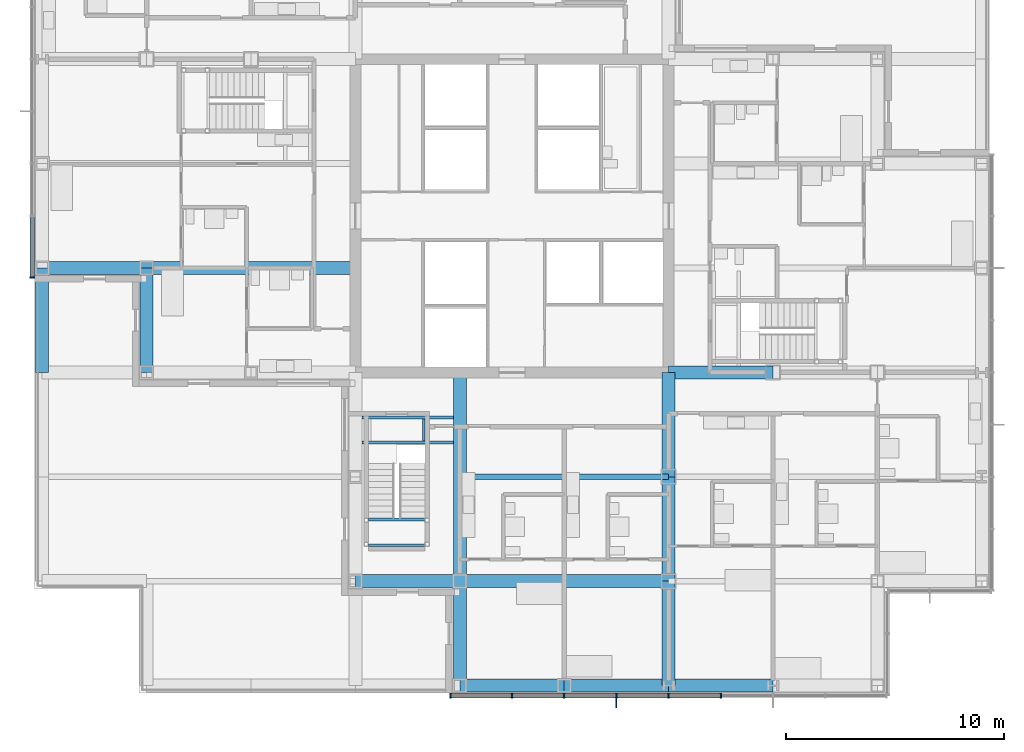
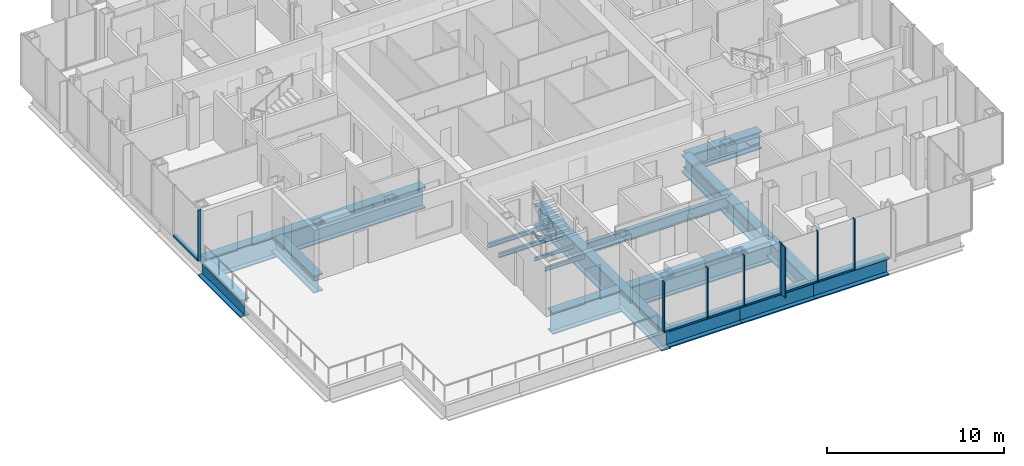
# One storey, part 6 of 19: 19 beams, 14 members, 2 elements without a shape of their own.
"""IFC4 building model written with IfcOpenShell, lengths in metres."""

import ifcopenshell
import ifcopenshell.guid

model = None  # the IFC model being written
_history = None  # IfcOwnerHistory: only IFC2X3 demands one
_inside = {}  # id of a spatial element -> (the spatial element, [elements in it])
_under = {}  # id of a project, library or spatial element -> (it, [spatial elements below it])
_declared = {}  # id of a project -> (the project, [libraries it declares])
_typed = {}  # id of a type object -> (the type object, [elements of that type])
_made_of = {}  # id of a material, layer set ... -> (it, [elements and type objects made of it])


def new_model(schema):
    """Start an empty IFC model of exactly this schema.

    Asked for "IFC4X3", IfcOpenShell would pick the latest addendum, in which some entities
    have other attributes; the version numbers below select the first issue.
    IFC2X3 requires an IfcOwnerHistory on every rooted entity: one is made here for all.
    """
    global model, _history
    if schema == "IFC4X3":
        model = ifcopenshell.file(schema_version=(4, 3, 0, 0))
    else:
        model = ifcopenshell.file(schema=schema)
    _inside.clear()
    _under.clear()
    _declared.clear()
    _typed.clear()
    _made_of.clear()
    _history = None
    if model.schema == "IFC2X3":
        org = make("IfcOrganization", Name="unknown")
        user = make(
            "IfcPersonAndOrganization",
            ThePerson=make("IfcPerson", FamilyName="unknown"),
            TheOrganization=org,
        )
        app = make(
            "IfcApplication",
            ApplicationDeveloper=org,
            Version="unknown",
            ApplicationFullName="unknown",
            ApplicationIdentifier="unknown",
        )
        _history = make(
            "IfcOwnerHistory",
            OwningUser=user,
            OwningApplication=app,
            ChangeAction="ADDED",
            CreationDate=0,
        )
    return model


def make(cls, **values):
    """One entity of the class cls with the attributes given. An attribute that is None is left unset."""
    return model.create_entity(
        cls, **{name: value for name, value in values.items() if value is not None}
    )


def rooted(cls, **values):
    """An entity with a GlobalId (a new one), such as an element, a storey or a relation."""
    return make(cls, GlobalId=ifcopenshell.guid.new(), OwnerHistory=_history, **values)


def si_unit(unit_type, name, prefix=None):
    """IfcSIUnit, for example si_unit("LENGTHUNIT", "METRE", prefix="MILLI")."""
    return make("IfcSIUnit", UnitType=unit_type, Prefix=prefix, Name=name)


def assignment(units):
    """IfcUnitAssignment: the units of a project."""
    return None if units is None else make("IfcUnitAssignment", Units=units)


def point(xyz):
    """IfcCartesianPoint."""
    return None if xyz is None else make("IfcCartesianPoint", Coordinates=xyz)


def direction(xyz):
    """IfcDirection."""
    return None if xyz is None else make("IfcDirection", DirectionRatios=xyz)


def frame(location, z_axis=None, x_axis=None):
    """IfcAxis2Placement3D, a coordinate frame: its origin and axes. An axis left out is left unset."""
    return make(
        "IfcAxis2Placement3D",
        Location=point(location),
        Axis=direction(z_axis),
        RefDirection=direction(x_axis),
    )


def frame_2d(location, x_axis=None):
    """IfcAxis2Placement2D, a coordinate frame in the plane: its origin and x axis."""
    return make(
        "IfcAxis2Placement2D", Location=point(location), RefDirection=direction(x_axis)
    )


def origin():
    """The frame at (0, 0, 0) with its axes left unset."""
    return frame((0.0, 0.0, 0.0))


def origin_2d():
    """The frame at (0, 0) in the plane with its x axis left unset."""
    return frame_2d((0.0, 0.0))


def place(relative_to, where):
    """IfcLocalPlacement: puts the frame where relative to a parent placement (None: the world)."""
    return make(
        "IfcLocalPlacement", PlacementRelTo=relative_to, RelativePlacement=where
    )


def context(
    kind, dimensions, precision=None, world=None, true_north=None, identifier=None
):
    """IfcGeometricRepresentationContext, for example the 3D "Model" context."""
    return make(
        "IfcGeometricRepresentationContext",
        ContextIdentifier=identifier,
        ContextType=kind,
        CoordinateSpaceDimension=dimensions,
        Precision=precision,
        WorldCoordinateSystem=world,
        TrueNorth=true_north,
    )


def subcontext(parent, identifier, kind, view, scale=None):
    """IfcGeometricRepresentationSubContext, for example "Body" below "Model"."""
    return make(
        "IfcGeometricRepresentationSubContext",
        ContextIdentifier=identifier,
        ContextType=kind,
        ParentContext=parent,
        TargetScale=scale,
        TargetView=view,
    )


def project(units=None, contexts=None):
    """IfcProject with its units and contexts."""
    return rooted(
        "IfcProject",
        Name="project",
        RepresentationContexts=contexts,
        UnitsInContext=assignment(units),
    )


def spatial(cls, under=None, at=None, **own):
    """A site, building, storey or space (cls), placed at a placement, below another one or the project."""
    s = rooted(cls, ObjectPlacement=at, **own)
    if under is not None:
        _under.setdefault(under.id(), (under, []))[1].append(s)
    return s


def profile(cls, at=None, kind="AREA", **sizes):
    """A parametric profile (cls). Its sizes go by their IFC names, for example OverallWidth=200.0."""
    return make(cls, ProfileType=kind, Position=at, **sizes)


def rectangle(**sizes):
    """IfcRectangleProfileDef."""
    return profile("IfcRectangleProfileDef", **sizes)


def i_section(**sizes):
    """IfcIShapeProfileDef."""
    return profile("IfcIShapeProfileDef", **sizes)


def extrude(swept, where, along, depth):
    """IfcExtrudedAreaSolid: the profile swept, set in the frame where, extruded along a direction by depth."""
    return make(
        "IfcExtrudedAreaSolid",
        SweptArea=swept,
        Position=where,
        ExtrudedDirection=direction(along),
        Depth=depth,
    )


def shape(context_of_items, identifier, shape_type, items):
    """IfcShapeRepresentation: the items that make up one representation, for example the "Body"."""
    return make(
        "IfcShapeRepresentation",
        ContextOfItems=context_of_items,
        RepresentationIdentifier=identifier,
        RepresentationType=shape_type,
        Items=items,
    )


def material(Name=None, Category=None):
    """IfcMaterial."""
    return make("IfcMaterial", Name=Name, Category=Category)


def material_profile(
    of_material, cross_section, Name=None, Category=None, Priority=None
):
    """IfcMaterialProfile: a cross section and its material."""
    return make(
        "IfcMaterialProfile",
        Name=Name,
        Material=of_material,
        Profile=cross_section,
        Priority=Priority,
        Category=Category,
    )


def profile_set(profiles, Name=None, composite=None):
    """IfcMaterialProfileSet."""
    return make(
        "IfcMaterialProfileSet",
        Name=Name,
        MaterialProfiles=profiles,
        CompositeProfile=composite,
    )


def made_of(thing, what):
    """Note that an element or type object is made of a material, layer set ...; save() writes the relation."""
    if what is not None:
        _made_of.setdefault(what.id(), (what, []))[1].append(thing)
    return thing


def type_object(cls, material=None, **own):
    """A type object (cls), such as IfcWallType, which elements share."""
    return made_of(rooted(cls, **own), material)


def element(
    cls,
    number,
    at=None,
    inside=None,
    cuts=None,
    type_object=None,
    material=None,
    context=None,
    identifier="Body",
    shape_type=None,
    held_by="IfcProductDefinitionShape",
    body=None,
    shapes=None,
    **own,
):
    """One element of the class cls, such as IfcWall. Its Tag is "e" and its number.

    at: its placement. inside: the storey or other place that contains it. cuts: it is an
    opening in that element (IfcRelVoidsElement). A single representation is given by context,
    identifier, shape_type and body (its items); several are given by shapes. held_by: the class
    of the entity that holds the representations. save() writes the other relations.
    """
    e = rooted(cls, Tag="e%d" % number, ObjectPlacement=at, **own)
    if body is not None:
        shapes = [shape(context, identifier, shape_type, body)]
    if shapes is not None:
        e.Representation = make(held_by, Representations=shapes)
    if inside is not None:
        _inside.setdefault(inside.id(), (inside, []))[1].append(e)
    if cuts is not None:
        rooted(
            "IfcRelVoidsElement", RelatingBuildingElement=cuts, RelatedOpeningElement=e
        )
    if type_object is not None:
        _typed.setdefault(type_object.id(), (type_object, []))[1].append(e)
    return made_of(e, material)


def aggregate(whole, parts):
    """IfcRelAggregates: a whole, such as a stair, and the parts it consists of."""
    return rooted("IfcRelAggregates", RelatingObject=whole, RelatedObjects=parts)


def save(model, path):
    """Write the relations noted so far, then the file.

    IfcRelAggregates (storeys below a building ...), IfcRelContainedInSpatialStructure (elements
    in a storey), IfcRelDefinesByType, IfcRelAssociatesMaterial and IfcRelDeclares: one each for
    every whole, place, type object, material and project.
    """
    for whole, parts in _under.values():
        aggregate(whole, parts)
    for where, things in _inside.values():
        rooted(
            "IfcRelContainedInSpatialStructure",
            RelatedElements=things,
            RelatingStructure=where,
        )
    for kind, things in _typed.values():
        rooted("IfcRelDefinesByType", RelatedObjects=things, RelatingType=kind)
    for what, things in _made_of.values():
        rooted("IfcRelAssociatesMaterial", RelatedObjects=things, RelatingMaterial=what)
    for by, libraries in _declared.values():
        rooted("IfcRelDeclares", RelatingContext=by, RelatedDefinitions=libraries)
    model.write(path)


model = new_model("IFC4")

# Units and contexts
model_context = context("Model", 3, precision=1e-05, world=origin(), true_north=direction((0.0, 1.0)))
body_context = subcontext(model_context, "Body", "Model", "MODEL_VIEW")
ifc_project = project(units=[si_unit("LENGTHUNIT", "METRE"), si_unit("AREAUNIT", "SQUARE_METRE"), si_unit("VOLUMEUNIT", "CUBIC_METRE"), si_unit("PLANEANGLEUNIT", "RADIAN"), si_unit("MASSUNIT", "GRAM", prefix="KILO")], contexts=[model_context])

# Site, building, storey
site_placement = place(None, origin())
site = spatial("IfcSite", under=ifc_project, at=site_placement, CompositionType="ELEMENT")
building_placement = place(site_placement, origin())
building = spatial("IfcBuilding", under=site, at=building_placement, Name="Kvirike Care Tower", CompositionType="ELEMENT")
storey_placement = place(building_placement, frame((0.0, 0.0, 84.0)))
storey = spatial("IfcBuildingStorey", under=building, at=storey_placement, Name="L22", CompositionType="ELEMENT", Elevation=84.0)

# Curtain wall, member
ifc_material_1 = material(Name="Anodised aluminium stick system", Category="aluminium")
curtain_wall_type = type_object("IfcCurtainWallType", Name="CW-B STICK CURTAIN WALL", PredefinedType="NOTDEFINED", material=ifc_material_1)
curtain_wall_1_placement = place(storey_placement, origin())
curtain_wall_1 = element("IfcCurtainWall", 1, at=curtain_wall_1_placement, inside=storey, type_object=curtain_wall_type, Name="Curtain wall L22 face 18", PredefinedType="NOTDEFINED")
ifc_material_2 = material(Name="Bronze anodised aluminium fin", Category="aluminium")
ifc_material_profile_1 = material_profile(ifc_material_2, rectangle(XDim=0.050048828125, YDim=0.449951171875, at=origin_2d()), Name="BRONZE FIN 450")
ifc_profile_set_1 = profile_set([ifc_material_profile_1], Name="Bronze anodised aluminium fin")
member_type_1 = type_object("IfcMemberType", Name="BRONZE FIN 450", PredefinedType="USERDEFINED", material=ifc_profile_set_1)
member_1_placement = place(storey_placement, frame((26.39990234375, 13.60498046875, 0.0), z_axis=(0.0, 0.0, 1.0), x_axis=(1.0, 0.0, 0.0)))
member_1 = element("IfcMember", 2, at=member_1_placement, type_object=member_type_1, Name="Bronze fin L22 face 18.4", ObjectType="FIN", PredefinedType="USERDEFINED", context=body_context, shape_type="SweptSolid", body=[
    extrude(rectangle(XDim=0.050048828125, YDim=0.449951171875, at=origin_2d()), origin(), (0.0, 0.0, 1.0), 3.5),
])

curtain_wall_2_placement = place(storey_placement, origin())
curtain_wall_2 = element("IfcCurtainWall", 3, at=curtain_wall_2_placement, inside=storey, type_object=curtain_wall_type, Name="Curtain wall L22 face 11", PredefinedType="NOTDEFINED")
ifc_material_3 = material(Name="Bronze anodised aluminium mullion", Category="aluminium")
ifc_material_profile_2 = material_profile(ifc_material_3, rectangle(XDim=0.06494140625, YDim=0.219970703125, at=origin_2d()), Name="CW-B MULLION 65x220")
ifc_profile_set_2 = profile_set([ifc_material_profile_2], Name="Bronze anodised aluminium mullion")
member_type_2 = type_object("IfcMemberType", Name="CW-B MULLION 65x220", PredefinedType="MULLION", material=ifc_profile_set_2)
member_2_placement = place(storey_placement, frame((-0.4599609375, 33.172607421875, 0.0), z_axis=(0.0, 0.0, 1.0), x_axis=(0.0, -1.0, 0.0)))
member_2 = element("IfcMember", 4, at=member_2_placement, type_object=member_type_2, Name="CW-B mullion L22 face 11.9", PredefinedType="MULLION", context=body_context, shape_type="SweptSolid", body=[
    extrude(rectangle(XDim=0.06494140625, YDim=0.219970703125, at=origin_2d()), origin(), (0.0, 0.0, 1.0), 3.5),
])

# Member
member_3_placement = place(storey_placement, frame((18.7724609375, 13.93994140625, 0.0), z_axis=(0.0, 0.0, 1.0), x_axis=(1.0, 0.0, 0.0)))
member_3 = element("IfcMember", 5, at=member_3_placement, type_object=member_type_2, Name="CW-B mullion L22 face 18.1", PredefinedType="MULLION", context=body_context, shape_type="SweptSolid", body=[
    extrude(rectangle(XDim=0.06494140625, YDim=0.219970703125, at=origin_2d()), origin(), (0.0, 0.0, 1.0), 3.5),
])

member_4_placement = place(storey_placement, frame((21.60009765625, 13.93994140625, 0.0), z_axis=(0.0, 0.0, 1.0), x_axis=(1.0, 0.0, 0.0)))
member_4 = element("IfcMember", 6, at=member_4_placement, type_object=member_type_2, Name="CW-B mullion L22 face 18.2", PredefinedType="MULLION", context=body_context, shape_type="SweptSolid", body=[
    extrude(rectangle(XDim=0.06494140625, YDim=0.219970703125, at=origin_2d()), origin(), (0.0, 0.0, 1.0), 3.5),
])

member_5_placement = place(storey_placement, frame((24.0, 13.93994140625, 0.0), z_axis=(0.0, 0.0, 1.0), x_axis=(1.0, 0.0, 0.0)))
member_5 = element("IfcMember", 7, at=member_5_placement, type_object=member_type_2, Name="CW-B mullion L22 face 18.3", PredefinedType="MULLION", context=body_context, shape_type="SweptSolid", body=[
    extrude(rectangle(XDim=0.06494140625, YDim=0.219970703125, at=origin_2d()), origin(), (0.0, 0.0, 1.0), 3.5),
])

member_6_placement = place(storey_placement, frame((26.39990234375, 13.93994140625, 0.0), z_axis=(0.0, 0.0, 1.0), x_axis=(1.0, 0.0, 0.0)))
member_6 = element("IfcMember", 8, at=member_6_placement, type_object=member_type_2, Name="CW-B mullion L22 face 18.4", PredefinedType="MULLION", context=body_context, shape_type="SweptSolid", body=[
    extrude(rectangle(XDim=0.06494140625, YDim=0.219970703125, at=origin_2d()), origin(), (0.0, 0.0, 1.0), 3.5),
])

member_7_placement = place(storey_placement, frame((28.800048828125, 13.93994140625, 0.0), z_axis=(0.0, 0.0, 1.0), x_axis=(1.0, 0.0, 0.0)))
member_7 = element("IfcMember", 9, at=member_7_placement, type_object=member_type_2, Name="CW-B mullion L22 face 18.5", PredefinedType="MULLION", context=body_context, shape_type="SweptSolid", body=[
    extrude(rectangle(XDim=0.06494140625, YDim=0.219970703125, at=origin_2d()), origin(), (0.0, 0.0, 1.0), 3.5),
])

member_8_placement = place(storey_placement, frame((31.199951171875, 13.93994140625, 0.0), z_axis=(0.0, 0.0, 1.0), x_axis=(1.0, 0.0, 0.0)))
member_8 = element("IfcMember", 10, at=member_8_placement, type_object=member_type_2, Name="CW-B mullion L22 face 18.6", PredefinedType="MULLION", context=body_context, shape_type="SweptSolid", body=[
    extrude(rectangle(XDim=0.06494140625, YDim=0.219970703125, at=origin_2d()), origin(), (0.0, 0.0, 1.0), 3.5),
])

ifc_material_4 = material(Name="Bronze anodised aluminium transom", Category="aluminium")
ifc_material_profile_3 = material_profile(ifc_material_4, rectangle(XDim=0.219970703125, YDim=0.10009765625, at=origin_2d()), Name="CW-B TRANSOM 220x100")
ifc_profile_set_3 = profile_set([ifc_material_profile_3], Name="Bronze anodised aluminium transom")
member_type_3 = type_object("IfcMemberType", Name="CW-B TRANSOM 220x100", PredefinedType="USERDEFINED", material=ifc_profile_set_3)
member_9_placement = place(storey_placement, frame((-0.4599609375, 35.967529296875, 0.050048828125), z_axis=(0.0, -1.0, 0.0), x_axis=(1.0, 0.0, 0.0)))
member_9 = element("IfcMember", 11, at=member_9_placement, type_object=member_type_3, Name="CW-B sill transom L22 face 11.8", ObjectType="TRANSOM", PredefinedType="USERDEFINED", context=body_context, shape_type="SweptSolid", body=[
    extrude(rectangle(XDim=0.219970703125, YDim=0.10009765625, at=origin_2d()), origin(), (0.0, 0.0, 1.0), 2.762451171875),
])

aggregate(curtain_wall_2, [member_2, member_9])

member_10_placement = place(storey_placement, frame((18.804931640625, 13.93994140625, 0.050048828125), z_axis=(1.0, 0.0, 0.0), x_axis=(0.0, 1.0, 0.0)))
member_10 = element("IfcMember", 12, at=member_10_placement, type_object=member_type_3, Name="CW-B sill transom L22 face 18.1", ObjectType="TRANSOM", PredefinedType="USERDEFINED", context=body_context, shape_type="SweptSolid", body=[
    extrude(rectangle(XDim=0.219970703125, YDim=0.10009765625, at=origin_2d()), origin(), (0.0, 0.0, 1.0), 2.762451171875),
])

member_11_placement = place(storey_placement, frame((21.632568359375, 13.93994140625, 0.050048828125), z_axis=(1.0, 0.0, 0.0), x_axis=(0.0, 1.0, 0.0)))
member_11 = element("IfcMember", 13, at=member_11_placement, type_object=member_type_3, Name="CW-B sill transom L22 face 18.2", ObjectType="TRANSOM", PredefinedType="USERDEFINED", context=body_context, shape_type="SweptSolid", body=[
    extrude(rectangle(XDim=0.219970703125, YDim=0.10009765625, at=origin_2d()), origin(), (0.0, 0.0, 1.0), 2.3349609375),
])

member_12_placement = place(storey_placement, frame((24.032470703125, 13.93994140625, 0.050048828125), z_axis=(1.0, 0.0, 0.0), x_axis=(0.0, 1.0, 0.0)))
member_12 = element("IfcMember", 14, at=member_12_placement, type_object=member_type_3, Name="CW-B sill transom L22 face 18.3", ObjectType="TRANSOM", PredefinedType="USERDEFINED", context=body_context, shape_type="SweptSolid", body=[
    extrude(rectangle(XDim=0.219970703125, YDim=0.10009765625, at=origin_2d()), origin(), (0.0, 0.0, 1.0), 2.3349609375),
])

member_13_placement = place(storey_placement, frame((26.4326171875, 13.93994140625, 0.050048828125), z_axis=(1.0, 0.0, 0.0), x_axis=(0.0, 1.0, 0.0)))
member_13 = element("IfcMember", 15, at=member_13_placement, type_object=member_type_3, Name="CW-B sill transom L22 face 18.4", ObjectType="TRANSOM", PredefinedType="USERDEFINED", context=body_context, shape_type="SweptSolid", body=[
    extrude(rectangle(XDim=0.219970703125, YDim=0.10009765625, at=origin_2d()), origin(), (0.0, 0.0, 1.0), 2.3349609375),
])

member_14_placement = place(storey_placement, frame((28.83251953125, 13.93994140625, 0.050048828125), z_axis=(1.0, 0.0, 0.0), x_axis=(0.0, 1.0, 0.0)))
member_14 = element("IfcMember", 16, at=member_14_placement, type_object=member_type_3, Name="CW-B sill transom L22 face 18.5", ObjectType="TRANSOM", PredefinedType="USERDEFINED", context=body_context, shape_type="SweptSolid", body=[
    extrude(rectangle(XDim=0.219970703125, YDim=0.10009765625, at=origin_2d()), origin(), (0.0, 0.0, 1.0), 2.3349609375),
])

aggregate(curtain_wall_1, [member_3, member_4, member_5, member_6, member_1, member_7, member_8, member_10, member_11, member_12, member_13, member_14])

# Beams
ifc_material_5 = material(Name="Steel S355", Category="steel")
ifc_material_profile_4 = material_profile(ifc_material_5, i_section(OverallWidth=0.26806640625, OverallDepth=0.77001953125, WebThickness=0.015625, FlangeThickness=0.025390625, FilletRadius=0.01708984375, at=origin_2d()), Name="IPE 750x196")
ifc_profile_set_4 = profile_set([ifc_material_profile_4], Name="Steel S355")
beam_type_1 = type_object("IfcBeamType", Name="FLOOR BEAM IPE 750x196", PredefinedType="BEAM", material=ifc_profile_set_4)
beam_1_placement = place(storey_placement, frame((19.5, 24.0, -0.554931640625), z_axis=(1.0, 0.0, 0.0), x_axis=(0.0, 1.0, 0.0)))
element("IfcBeam", 17, at=beam_1_placement, inside=storey, type_object=beam_type_1, Name="Floor Beam F7-F9 L22", PredefinedType="BEAM", context=body_context, shape_type="SweptSolid", body=[
    extrude(i_section(OverallWidth=0.26806640625, OverallDepth=0.77001953125, WebThickness=0.015625, FlangeThickness=0.025390625, FilletRadius=0.01708984375, at=origin_2d()), origin(), (0.0, 0.0, 1.0), 9.300048828125),
])
ifc_material_6 = material(Name="Steel S355", Category="steel")
ifc_material_profile_5 = material_profile(ifc_material_6, i_section(OverallWidth=0.60009765625, OverallDepth=1.199951171875, WebThickness=0.0400390625, FlangeThickness=0.080078125, at=origin_2d()), Name="PG 1200x600x40x80")
ifc_profile_set_5 = profile_set([ifc_material_profile_5], Name="Steel S355")
beam_type_2 = type_object("IfcBeamType", Name="FRAME BEAM PG 1200x600x40x80", PredefinedType="BEAM", material=ifc_profile_set_5)
for number, where, z_axis, x_axis, name in (
    (18, (28.800048828125, 28.800048828125, -0.77001953125), (1.0, 0.0, 0.0), (0.0, 1.0, 0.0), "Frame Beam G9-G10 L22"),
    (19, (28.800048828125, 14.39990234375, -0.77001953125), (0.0, 1.0, 0.0), (-1.0, 0.0, 0.0), "Frame Beam D9-E9 L22"),
    (20, (28.800048828125, 19.199951171875, -0.77001953125), (0.0, 1.0, 0.0), (-1.0, 0.0, 0.0), "Frame Beam E9-F9 L22"),
    (21, (28.800048828125, 24.0, -0.77001953125), (0.0, 1.0, 0.0), (-1.0, 0.0, 0.0), "Frame Beam F9-G9 L22"),
):
    element("IfcBeam", number, at=place(storey_placement, frame(where, z_axis=z_axis, x_axis=x_axis)), inside=storey, type_object=beam_type_2, Name=name, PredefinedType="BEAM", context=body_context, shape_type="SweptSolid", body=[
        extrude(i_section(OverallWidth=0.60009765625, OverallDepth=1.199951171875, WebThickness=0.0400390625, FlangeThickness=0.080078125, at=origin_2d()), origin(), (0.0, 0.0, 1.0), 4.800048828125),
    ])
ifc_material_7 = material(Name="Steel S355", Category="steel")
ifc_material_profile_6 = material_profile(ifc_material_7, i_section(OverallWidth=0.60009765625, OverallDepth=1.199951171875, WebThickness=0.0400390625, FlangeThickness=0.080078125, at=origin_2d()), Name="PG 1200x600x40x80")
ifc_profile_set_6 = profile_set([ifc_material_profile_6], Name="Steel S355")
beam_type_3 = type_object("IfcBeamType", Name="SPANDREL PG 1200x600x40x80", PredefinedType="SPANDREL", material=ifc_profile_set_6)
for number, where, z_axis, x_axis, name in (
    (22, (19.199951171875, 14.39990234375, -0.77001953125), (1.0, 0.0, 0.0), (0.0, 1.0, 0.0), "Spandrel D7-D8 L22"),
    (23, (24.0, 14.39990234375, -0.77001953125), (1.0, 0.0, 0.0), (0.0, 1.0, 0.0), "Spandrel D8-D9 L22"),
    (24, (28.800048828125, 14.39990234375, -0.77001953125), (1.0, 0.0, 0.0), (0.0, 1.0, 0.0), "Spandrel D9-D10 L22"),
    (25, (0.0, 28.800048828125, -0.77001953125), (0.0, 1.0, 0.0), (-1.0, 0.0, 0.0), "Spandrel G3-H3 L22"),
    (26, (4.800048828125, 28.800048828125, -0.77001953125), (0.0, 1.0, 0.0), (-1.0, 0.0, 0.0), "Spandrel G4-H4 L22"),
):
    element("IfcBeam", number, at=place(storey_placement, frame(where, z_axis=z_axis, x_axis=x_axis)), inside=storey, type_object=beam_type_3, Name=name, PredefinedType="SPANDREL", context=body_context, shape_type="SweptSolid", body=[
        extrude(i_section(OverallWidth=0.60009765625, OverallDepth=1.199951171875, WebThickness=0.0400390625, FlangeThickness=0.080078125, at=origin_2d()), origin(), (0.0, 0.0, 1.0), 4.800048828125),
    ])
ifc_material_8 = material(Name="Steel S355", Category="steel")
ifc_material_profile_7 = material_profile(ifc_material_8, i_section(OverallWidth=0.1201171875, OverallDepth=0.239990234375, WebThickness=0.006103515625, FlangeThickness=0.009765625, FilletRadius=0.014892578125, at=origin_2d()), Name="IPE 240")
ifc_profile_set_7 = profile_set([ifc_material_profile_7], Name="Steel S355")
beam_type_4 = type_object("IfcBeamType", Name="STAIR LANDING BEAM IPE 240", PredefinedType="BEAM", material=ifc_profile_set_7)
for number, where, z_axis, x_axis, name in (
    (27, (15.0, 20.860107421875, 1.429931640625), (1.0, 0.0, 0.0), (0.0, 1.0, 0.0), "Stair 5 landing beam back L22"),
    (28, (15.0, 22.0400390625, 1.429931640625), (1.0, 0.0, 0.0), (0.0, 1.0, 0.0), "Stair 5 landing beam front L22"),
):
    element("IfcBeam", number, at=place(storey_placement, frame(where, z_axis=z_axis, x_axis=x_axis)), inside=storey, type_object=beam_type_4, Name=name, PredefinedType="BEAM", context=body_context, shape_type="SweptSolid", body=[
        extrude(i_section(OverallWidth=0.1201171875, OverallDepth=0.239990234375, WebThickness=0.006103515625, FlangeThickness=0.009765625, FilletRadius=0.014892578125, at=origin_2d()), origin(), (0.0, 0.0, 1.0), 2.60009765625),
    ])
beam_2_placement = place(storey_placement, frame((17.5400390625, 25.64990234375, -0.320068359375), z_axis=(0.0, 1.0, 0.0), x_axis=(-1.0, 0.0, 0.0)))
element("IfcBeam", 29, at=beam_2_placement, inside=storey, type_object=beam_type_4, Name="Stair 5 landing edge beam 2 L22", PredefinedType="BEAM", context=body_context, shape_type="SweptSolid", body=[
    extrude(i_section(OverallWidth=0.1201171875, OverallDepth=0.239990234375, WebThickness=0.006103515625, FlangeThickness=0.009765625, FilletRadius=0.014892578125, at=origin_2d()), origin(), (0.0, 0.0, 1.0), 1.0),
])
ifc_material_9 = material(Name="Steel S355", Category="steel")
ifc_material_profile_8 = material_profile(ifc_material_9, i_section(OverallWidth=0.14990234375, OverallDepth=0.300048828125, WebThickness=0.007080078125, FlangeThickness=0.0107421875, FilletRadius=0.014892578125, at=origin_2d()), Name="IPE 300")
ifc_profile_set_8 = profile_set([ifc_material_profile_8], Name="Steel S355")
beam_type_5 = type_object("IfcBeamType", Name="STAIR TRIMMER IPE 300", PredefinedType="BEAM", material=ifc_profile_set_8)
for number, where, z_axis, x_axis, name in (
    (30, (14.699951171875, 25.574951171875, -0.35009765625), (1.0, 0.0, 0.0), (0.0, 1.0, 0.0), "Stair 5 trimmer 1 L22"),
    (31, (14.699951171875, 26.72509765625, -0.35009765625), (1.0, 0.0, 0.0), (0.0, 1.0, 0.0), "Stair 5 trimmer 2 L22"),
):
    element("IfcBeam", number, at=place(storey_placement, frame(where, z_axis=z_axis, x_axis=x_axis)), inside=storey, type_object=beam_type_5, Name=name, PredefinedType="BEAM", context=body_context, shape_type="SweptSolid", body=[
        extrude(i_section(OverallWidth=0.14990234375, OverallDepth=0.300048828125, WebThickness=0.007080078125, FlangeThickness=0.0107421875, FilletRadius=0.014892578125, at=origin_2d()), origin(), (0.0, 0.0, 1.0), 4.199951171875),
    ])
ifc_material_10 = material(Name="Steel S355", Category="steel")
ifc_material_profile_9 = material_profile(ifc_material_10, i_section(OverallWidth=0.60009765625, OverallDepth=1.5, WebThickness=0.0400390625, FlangeThickness=0.080078125, at=origin_2d()), Name="PG 1500x600x40x80")
ifc_profile_set_9 = profile_set([ifc_material_profile_9], Name="Steel S355")
beam_type_6 = type_object("IfcBeamType", Name="TRANSFER GIRDER PG 1500x600x40x80", PredefinedType="BEAM", material=ifc_profile_set_9)
beam_3_placement = place(storey_placement, frame((14.39990234375, 19.199951171875, -0.919921875), z_axis=(1.0, 0.0, 0.0), x_axis=(0.0, 1.0, 0.0)))
element("IfcBeam", 32, at=beam_3_placement, inside=storey, type_object=beam_type_6, Name="Transfer Girder E6-E7 L22", PredefinedType="BEAM", context=body_context, shape_type="SweptSolid", body=[
    extrude(i_section(OverallWidth=0.60009765625, OverallDepth=1.5, WebThickness=0.0400390625, FlangeThickness=0.080078125, at=origin_2d()), origin(), (0.0, 0.0, 1.0), 4.5),
])
beam_4_placement = place(storey_placement, frame((19.5, 19.199951171875, -0.919921875), z_axis=(1.0, 0.0, 0.0), x_axis=(0.0, 1.0, 0.0)))
element("IfcBeam", 33, at=beam_4_placement, inside=storey, type_object=beam_type_6, Name="Transfer Girder E7-E9 L22", PredefinedType="BEAM", context=body_context, shape_type="SweptSolid", body=[
    extrude(i_section(OverallWidth=0.60009765625, OverallDepth=1.5, WebThickness=0.0400390625, FlangeThickness=0.080078125, at=origin_2d()), origin(), (0.0, 0.0, 1.0), 9.300048828125),
])
beam_5_placement = place(storey_placement, frame((0.0, 33.60009765625, -0.919921875), z_axis=(1.0, 0.0, 0.0), x_axis=(0.0, 1.0, 0.0)))
element("IfcBeam", 34, at=beam_5_placement, inside=storey, type_object=beam_type_6, Name="Transfer Girder H3-H6 L22", PredefinedType="BEAM", context=body_context, shape_type="SweptSolid", body=[
    extrude(i_section(OverallWidth=0.60009765625, OverallDepth=1.5, WebThickness=0.0400390625, FlangeThickness=0.080078125, at=origin_2d()), origin(), (0.0, 0.0, 1.0), 14.39990234375),
])
beam_6_placement = place(storey_placement, frame((19.199951171875, 14.39990234375, -0.919921875), z_axis=(0.0, 1.0, 0.0), x_axis=(-1.0, 0.0, 0.0)))
element("IfcBeam", 35, at=beam_6_placement, inside=storey, type_object=beam_type_6, Name="Transfer Girder D7-G7 L22", PredefinedType="BEAM", context=body_context, shape_type="SweptSolid", body=[
    extrude(i_section(OverallWidth=0.60009765625, OverallDepth=1.5, WebThickness=0.0400390625, FlangeThickness=0.080078125, at=origin_2d()), origin(), (0.0, 0.0, 1.0), 14.400146484375),
])

save(model, "model.ifc")
